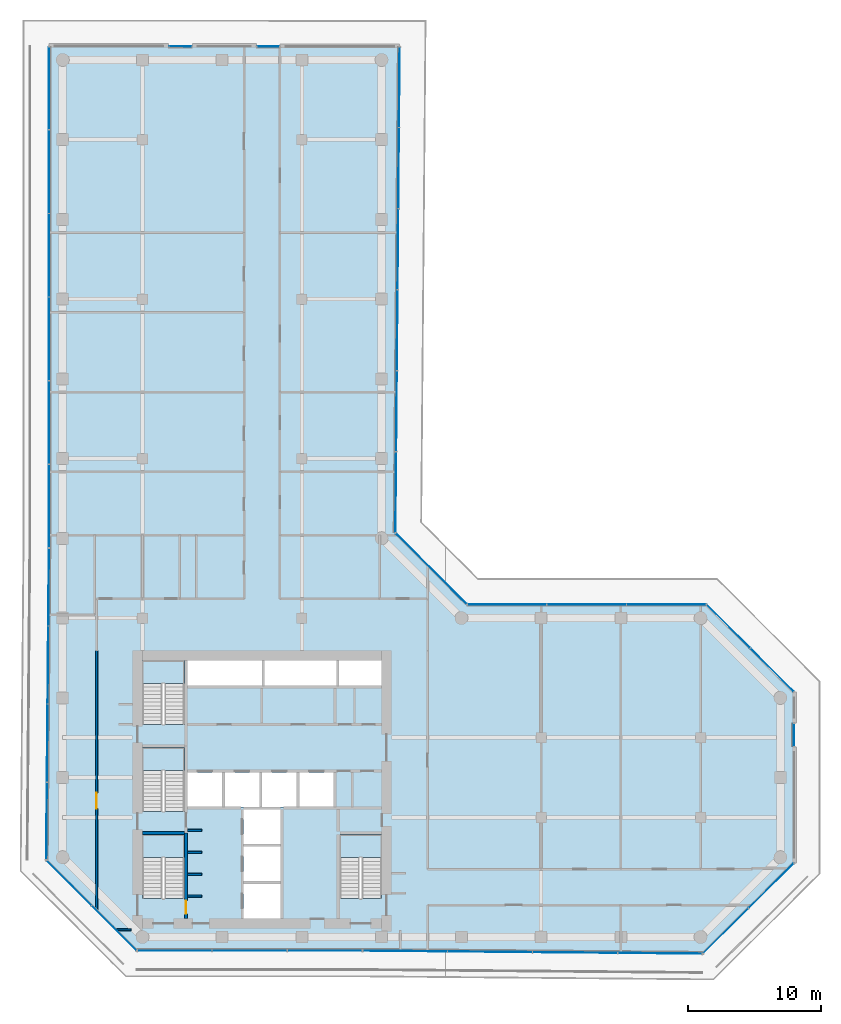
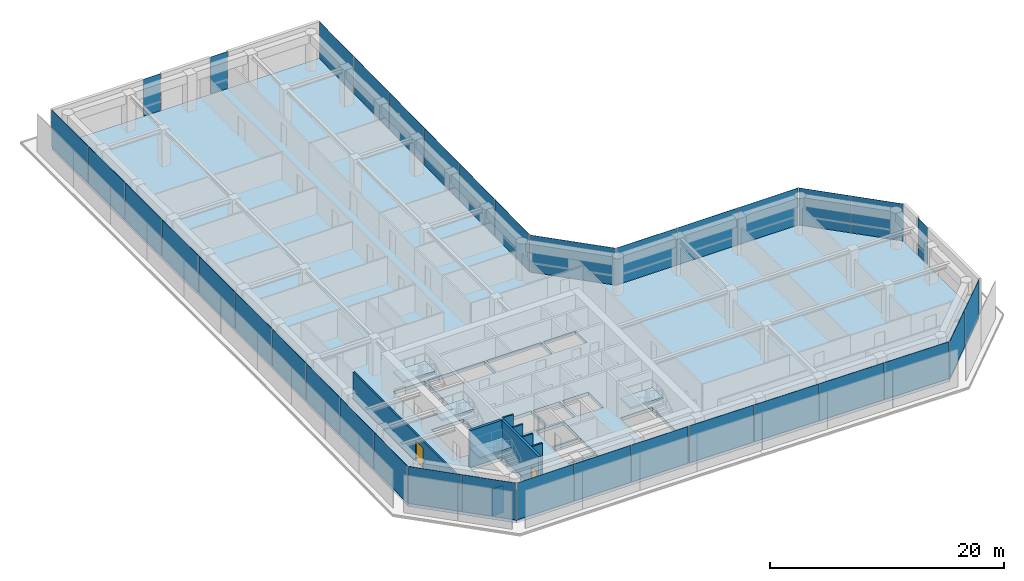
# One storey, part 17 of 23: 36 plates, 8 walls, 5 slabs, 2 doors, 2 openings, 17 elements without a shape of their own.
"""IFC4 building model written with IfcOpenShell, lengths in metres."""

from ifc_helpers import new_model, si_unit, direction, frame, frame_2d, origin, origin_2d, place, context, subcontext, project, spatial, polyline, rectangle, outline, extrude, material, layer, layer_set, type_object, element, fill, aggregate, save


model = new_model("IFC4")

# Units and contexts
model_context = context("Model", 3, precision=1e-05, world=origin(), true_north=direction((0.0, 1.0)))
body_context = subcontext(model_context, "Body", "Model", "MODEL_VIEW")
ifc_project = project(units=[si_unit("LENGTHUNIT", "METRE"), si_unit("AREAUNIT", "SQUARE_METRE"), si_unit("VOLUMEUNIT", "CUBIC_METRE"), si_unit("PLANEANGLEUNIT", "RADIAN"), si_unit("MASSUNIT", "GRAM", prefix="KILO")], contexts=[model_context])

# Site, building, storey
site_placement = place(None, origin())
site = spatial("IfcSite", under=ifc_project, at=site_placement, CompositionType="ELEMENT")
building_placement = place(site_placement, origin())
building = spatial("IfcBuilding", under=site, at=building_placement, Name="Welwitschia Terrace Campus", CompositionType="ELEMENT")
storey_placement = place(building_placement, frame((0.0, 0.0, 113.0)))
storey = spatial("IfcBuildingStorey", under=building, at=storey_placement, Name="L25", CompositionType="ELEMENT", Elevation=113.0)

# Curtain wall, plate
ifc_material_1 = material(Name="Bronze anodised aluminium", Category="aluminium")
ifc_layer_1 = layer(ifc_material_1, 0.1201171875)
ifc_layer_set_1 = layer_set([ifc_layer_1], Name="Bronze anodised aluminium")
curtain_wall_type = type_object("IfcCurtainWallType", Name="Curtain wall CW2 tower 6000", PredefinedType="NOTDEFINED", material=ifc_layer_set_1)
curtain_wall_1_placement = place(storey_placement, origin())
curtain_wall_1 = element("IfcCurtainWall", 1, at=curtain_wall_1_placement, inside=storey, type_object=curtain_wall_type, Name="CW L25.0.S0", PredefinedType="NOTDEFINED")
ifc_material_2 = material(Name="Tinted bronze-grey glass", Category="glass")
ifc_layer_2 = layer(ifc_material_2, 0.028076171875)
ifc_layer_set_2 = layer_set([ifc_layer_2], Name="Tinted bronze-grey glass")
plate_type = type_object("IfcPlateType", Name="Glass panel 28 tinted", PredefinedType="CURTAIN_PANEL", material=ifc_layer_set_2)
plate_1_placement = place(storey_placement, frame((15.4638671875, 71.016357421875, 0.0), z_axis=(0.0, 0.0, 1.0), x_axis=(-0.999999660533, 0.000823974926, 0.0)))
plate_1 = element("IfcPlate", 2, at=plate_1_placement, type_object=plate_type, Name="Panel L25.0.S0.0", PredefinedType="CURTAIN_PANEL", context=body_context, shape_type="SweptSolid", body=[
    extrude(rectangle(XDim=1.679931640625, YDim=0.028076171875, at=origin_2d()), origin(), (0.0, 0.0, 1.0), 3.85009765625),
])
aggregate(curtain_wall_1, [plate_1])

curtain_wall_2_placement = place(storey_placement, origin())
curtain_wall_2 = element("IfcCurtainWall", 3, at=curtain_wall_2_placement, inside=storey, type_object=curtain_wall_type, Name="CW L25.0.S1", PredefinedType="NOTDEFINED")
plate_2_placement = place(storey_placement, frame((8.8662109375, 71.02197265625, 0.0), z_axis=(0.0, 0.0, 1.0), x_axis=(-0.999999660533, 0.000823974926, 0.0)))
plate_2 = element("IfcPlate", 4, at=plate_2_placement, type_object=plate_type, Name="Panel L25.0.S1.0", PredefinedType="CURTAIN_PANEL", context=body_context, shape_type="SweptSolid", body=[
    extrude(rectangle(XDim=1.679931640625, YDim=0.028076171875, at=origin_2d()), origin(), (0.0, 0.0, 1.0), 3.85009765625),
])
aggregate(curtain_wall_2, [plate_2])

# Curtain wall, plates
curtain_wall_3_placement = place(storey_placement, origin())
curtain_wall_3 = element("IfcCurtainWall", 5, at=curtain_wall_3_placement, inside=storey, type_object=curtain_wall_type, Name="CW L25.1.0", PredefinedType="NOTDEFINED")
plate_3_placement = place(storey_placement, frame((-1.030029296875, 67.869384765625, 0.0), z_axis=(0.0, 0.0, 1.0), x_axis=(0.0, -1.0, 0.0)))
plate_3 = element("IfcPlate", 6, at=plate_3_placement, type_object=plate_type, Name="Panel L25.1.0.0", PredefinedType="CURTAIN_PANEL", context=body_context, shape_type="SweptSolid", body=[
    extrude(rectangle(XDim=6.201171875, YDim=0.028076171875, at=origin_2d()), origin(), (0.0, 0.0, 1.0), 3.85009765625),
])
plate_4_placement = place(storey_placement, frame((-1.030029296875, 61.593505859375, 0.0), z_axis=(0.0, 0.0, 1.0), x_axis=(0.0, -1.0, 0.0)))
plate_4 = element("IfcPlate", 7, at=plate_4_placement, type_object=plate_type, Name="Panel L25.1.0.1", PredefinedType="CURTAIN_PANEL", context=body_context, shape_type="SweptSolid", body=[
    extrude(rectangle(XDim=6.23095703125, YDim=0.028076171875, at=origin_2d()), origin(), (0.0, 0.0, 1.0), 3.85009765625),
])
plate_5_placement = place(storey_placement, frame((-1.030029296875, 55.302490234375, 0.0), z_axis=(0.0, 0.0, 1.0), x_axis=(0.0, -1.0, 0.0)))
plate_5 = element("IfcPlate", 8, at=plate_5_placement, type_object=plate_type, Name="Panel L25.1.0.2", PredefinedType="CURTAIN_PANEL", context=body_context, shape_type="SweptSolid", body=[
    extrude(rectangle(XDim=6.23095703125, YDim=0.028076171875, at=origin_2d()), origin(), (0.0, 0.0, 1.0), 3.85009765625),
])
plate_6_placement = place(storey_placement, frame((-1.030029296875, 49.01123046875, 0.0), z_axis=(0.0, 0.0, 1.0), x_axis=(0.0, -1.0, 0.0)))
plate_6 = element("IfcPlate", 9, at=plate_6_placement, type_object=plate_type, Name="Panel L25.1.0.3", PredefinedType="CURTAIN_PANEL", context=body_context, shape_type="SweptSolid", body=[
    extrude(rectangle(XDim=6.23095703125, YDim=0.028076171875, at=origin_2d()), origin(), (0.0, 0.0, 1.0), 3.85009765625),
])
plate_7_placement = place(storey_placement, frame((-1.030029296875, 42.72021484375, 0.0), z_axis=(0.0, 0.0, 1.0), x_axis=(0.0, -1.0, 0.0)))
plate_7 = element("IfcPlate", 10, at=plate_7_placement, type_object=plate_type, Name="Panel L25.1.0.4", PredefinedType="CURTAIN_PANEL", context=body_context, shape_type="SweptSolid", body=[
    extrude(rectangle(XDim=6.23095703125, YDim=0.028076171875, at=origin_2d()), origin(), (0.0, 0.0, 1.0), 3.85009765625),
])
plate_8_placement = place(storey_placement, frame((-1.030029296875, 36.444091796875, 0.0), z_axis=(0.0, 0.0, 1.0), x_axis=(0.0, -1.0, 0.0)))
plate_8 = element("IfcPlate", 11, at=plate_8_placement, type_object=plate_type, Name="Panel L25.1.0.5", PredefinedType="CURTAIN_PANEL", context=body_context, shape_type="SweptSolid", body=[
    extrude(rectangle(XDim=6.201171875, YDim=0.028076171875, at=origin_2d()), origin(), (0.0, 0.0, 1.0), 3.85009765625),
])
aggregate(curtain_wall_3, [plate_3, plate_4, plate_5, plate_6, plate_7, plate_8])

curtain_wall_4_placement = place(storey_placement, origin())
curtain_wall_4 = element("IfcCurtainWall", 12, at=curtain_wall_4_placement, inside=storey, type_object=curtain_wall_type, Name="CW L25.2.0", PredefinedType="NOTDEFINED")
plate_9_placement = place(storey_placement, frame((-1.0556640625, 30.330810546875, 0.0), z_axis=(0.0, 0.0, 1.0), x_axis=(-0.008726535498, -0.999961923064, 0.0)))
plate_9 = element("IfcPlate", 13, at=plate_9_placement, type_object=plate_type, Name="Panel L25.2.0.0", PredefinedType="CURTAIN_PANEL", context=body_context, shape_type="SweptSolid", body=[
    extrude(rectangle(XDim=5.785888671875, YDim=0.028076171875, at=origin_2d()), origin(), (0.0, 0.0, 1.0), 3.85009765625),
])
plate_10_placement = place(storey_placement, frame((-1.10693359375, 24.47021484375, 0.0), z_axis=(0.0, 0.0, 1.0), x_axis=(-0.008726535498, -0.999961923064, 0.0)))
plate_10 = element("IfcPlate", 14, at=plate_10_placement, type_object=plate_type, Name="Panel L25.2.0.1", PredefinedType="CURTAIN_PANEL", context=body_context, shape_type="SweptSolid", body=[
    extrude(rectangle(XDim=5.81591796875, YDim=0.028076171875, at=origin_2d()), origin(), (0.0, 0.0, 1.0), 3.85009765625),
])
plate_11_placement = place(storey_placement, frame((-1.158203125, 18.594482421875, 0.0), z_axis=(0.0, 0.0, 1.0), x_axis=(-0.008726535498, -0.999961923064, 0.0)))
plate_11 = element("IfcPlate", 15, at=plate_11_placement, type_object=plate_type, Name="Panel L25.2.0.2", PredefinedType="CURTAIN_PANEL", context=body_context, shape_type="SweptSolid", body=[
    extrude(rectangle(XDim=5.81591796875, YDim=0.028076171875, at=origin_2d()), origin(), (0.0, 0.0, 1.0), 3.85009765625),
])
plate_12_placement = place(storey_placement, frame((-1.209228515625, 12.73388671875, 0.0), z_axis=(0.0, 0.0, 1.0), x_axis=(-0.008726535498, -0.999961923064, 0.0)))
plate_12 = element("IfcPlate", 16, at=plate_12_placement, type_object=plate_type, Name="Panel L25.2.0.3", PredefinedType="CURTAIN_PANEL", context=body_context, shape_type="SweptSolid", body=[
    extrude(rectangle(XDim=5.785888671875, YDim=0.028076171875, at=origin_2d()), origin(), (0.0, 0.0, 1.0), 3.85009765625),
])
aggregate(curtain_wall_4, [plate_9, plate_10, plate_11, plate_12])

curtain_wall_5_placement = place(storey_placement, origin())
curtain_wall_5 = element("IfcCurtainWall", 17, at=curtain_wall_5_placement, inside=storey, type_object=curtain_wall_type, Name="CW L25.3.0", PredefinedType="NOTDEFINED")
plate_13_placement = place(storey_placement, frame((0.4775390625, 8.067626953125, 0.0), z_axis=(0.0, 0.0, 1.0), x_axis=(0.70697469242, -0.707238845283, 0.0)))
plate_13 = element("IfcPlate", 18, at=plate_13_placement, type_object=plate_type, Name="Panel L25.3.0.0", PredefinedType="CURTAIN_PANEL", context=body_context, shape_type="SweptSolid", body=[
    extrude(rectangle(XDim=4.72509765625, YDim=0.028076171875, at=origin_2d()), origin(), (0.0, 0.0, 1.0), 3.85009765625),
])
plate_14_placement = place(storey_placement, frame((3.860595703125, 4.683349609375, 0.0), z_axis=(0.0, 0.0, 1.0), x_axis=(0.70697469242, -0.707238845283, 0.0)))
plate_14 = element("IfcPlate", 19, at=plate_14_placement, type_object=plate_type, Name="Panel L25.3.0.1", PredefinedType="CURTAIN_PANEL", context=body_context, shape_type="SweptSolid", body=[
    extrude(rectangle(XDim=4.72509765625, YDim=0.028076171875, at=origin_2d()), origin(), (0.0, 0.0, 1.0), 3.85009765625),
])
aggregate(curtain_wall_5, [plate_13, plate_14])

curtain_wall_6_placement = place(storey_placement, origin())
curtain_wall_6 = element("IfcCurtainWall", 20, at=curtain_wall_6_placement, inside=storey, type_object=curtain_wall_type, Name="CW L25.4.0", PredefinedType="NOTDEFINED")
plate_15_placement = place(storey_placement, frame((8.417236328125, 2.969970703125, 0.0), z_axis=(0.0, 0.0, 1.0), x_axis=(1.0, 0.0, 0.0)))
plate_15 = element("IfcPlate", 21, at=plate_15_placement, type_object=plate_type, Name="Panel L25.4.0.0", PredefinedType="CURTAIN_PANEL", context=body_context, shape_type="SweptSolid", body=[
    extrude(rectangle(XDim=5.56787109375, YDim=0.028076171875, at=origin_2d()), origin(), (0.0, 0.0, 1.0), 3.85009765625),
])
plate_16_placement = place(storey_placement, frame((14.060302734375, 2.969970703125, 0.0), z_axis=(0.0, 0.0, 1.0), x_axis=(1.0, 0.0, 0.0)))
plate_16 = element("IfcPlate", 22, at=plate_16_placement, type_object=plate_type, Name="Panel L25.4.0.1", PredefinedType="CURTAIN_PANEL", context=body_context, shape_type="SweptSolid", body=[
    extrude(rectangle(XDim=5.597900390625, YDim=0.028076171875, at=origin_2d()), origin(), (0.0, 0.0, 1.0), 3.85009765625),
])
plate_17_placement = place(storey_placement, frame((19.703125, 2.969970703125, 0.0), z_axis=(0.0, 0.0, 1.0), x_axis=(1.0, 0.0, 0.0)))
plate_17 = element("IfcPlate", 23, at=plate_17_placement, type_object=plate_type, Name="Panel L25.4.0.2", PredefinedType="CURTAIN_PANEL", context=body_context, shape_type="SweptSolid", body=[
    extrude(rectangle(XDim=5.56787109375, YDim=0.028076171875, at=origin_2d()), origin(), (0.0, 0.0, 1.0), 3.85009765625),
])
aggregate(curtain_wall_6, [plate_15, plate_16, plate_17])

curtain_wall_7_placement = place(storey_placement, origin())
curtain_wall_7 = element("IfcCurtainWall", 24, at=curtain_wall_7_placement, inside=storey, type_object=curtain_wall_type, Name="CW L25.5.0", PredefinedType="NOTDEFINED")
plate_18_placement = place(storey_placement, frame((25.763916015625, 2.94189453125, 0.0), z_axis=(0.0, 0.0, 1.0), x_axis=(0.999961923064, -0.008726535498, 0.0)))
plate_18 = element("IfcPlate", 25, at=plate_18_placement, type_object=plate_type, Name="Panel L25.5.0.0", PredefinedType="CURTAIN_PANEL", context=body_context, shape_type="SweptSolid", body=[
    extrude(rectangle(XDim=6.31396484375, YDim=0.028076171875, at=origin_2d()), origin(), (0.0, 0.0, 1.0), 3.85009765625),
])
plate_19_placement = place(storey_placement, frame((32.15283203125, 2.88623046875, 0.0), z_axis=(0.0, 0.0, 1.0), x_axis=(0.999961923064, -0.008726535498, 0.0)))
plate_19 = element("IfcPlate", 26, at=plate_19_placement, type_object=plate_type, Name="Panel L25.5.0.1", PredefinedType="CURTAIN_PANEL", context=body_context, shape_type="SweptSolid", body=[
    extrude(rectangle(XDim=6.343994140625, YDim=0.028076171875, at=origin_2d()), origin(), (0.0, 0.0, 1.0), 3.85009765625),
])
plate_20_placement = place(storey_placement, frame((38.556396484375, 2.830322265625, 0.0), z_axis=(0.0, 0.0, 1.0), x_axis=(0.999961923064, -0.008726535498, 0.0)))
plate_20 = element("IfcPlate", 27, at=plate_20_placement, type_object=plate_type, Name="Panel L25.5.0.2", PredefinedType="CURTAIN_PANEL", context=body_context, shape_type="SweptSolid", body=[
    extrude(rectangle(XDim=6.343994140625, YDim=0.028076171875, at=origin_2d()), origin(), (0.0, 0.0, 1.0), 3.85009765625),
])
plate_21_placement = place(storey_placement, frame((44.9453125, 2.7744140625, 0.0), z_axis=(0.0, 0.0, 1.0), x_axis=(0.999961923064, -0.008726535498, 0.0)))
plate_21 = element("IfcPlate", 28, at=plate_21_placement, type_object=plate_type, Name="Panel L25.5.0.3", PredefinedType="CURTAIN_PANEL", context=body_context, shape_type="SweptSolid", body=[
    extrude(rectangle(XDim=6.31396484375, YDim=0.028076171875, at=origin_2d()), origin(), (0.0, 0.0, 1.0), 3.85009765625),
])
aggregate(curtain_wall_7, [plate_18, plate_19, plate_20, plate_21])

curtain_wall_8_placement = place(storey_placement, origin())
curtain_wall_8 = element("IfcCurtainWall", 29, at=curtain_wall_8_placement, inside=storey, type_object=curtain_wall_type, Name="CW L25.6.0", PredefinedType="NOTDEFINED")
plate_22_placement = place(storey_placement, frame((49.8896484375, 4.4638671875, 0.0), z_axis=(0.0, 0.0, 1.0), x_axis=(0.70922178721, 0.704985430024, 0.0)))
plate_22 = element("IfcPlate", 30, at=plate_22_placement, type_object=plate_type, Name="Panel L25.6.0.0", PredefinedType="CURTAIN_PANEL", context=body_context, shape_type="SweptSolid", body=[
    extrude(rectangle(XDim=4.751953125, YDim=0.028076171875, at=origin_2d()), origin(), (0.0, 0.0, 1.0), 3.85009765625),
])
plate_23_placement = place(storey_placement, frame((53.302490234375, 7.85595703125, 0.0), z_axis=(0.0, 0.0, 1.0), x_axis=(0.70922178721, 0.704985430024, 0.0)))
plate_23 = element("IfcPlate", 31, at=plate_23_placement, type_object=plate_type, Name="Panel L25.6.0.1", PredefinedType="CURTAIN_PANEL", context=body_context, shape_type="SweptSolid", body=[
    extrude(rectangle(XDim=4.751953125, YDim=0.028076171875, at=origin_2d()), origin(), (0.0, 0.0, 1.0), 3.85009765625),
])
aggregate(curtain_wall_8, [plate_22, plate_23])

# Curtain wall, plate
curtain_wall_9_placement = place(storey_placement, origin())
curtain_wall_9 = element("IfcCurtainWall", 32, at=curtain_wall_9_placement, inside=storey, type_object=curtain_wall_type, Name="CW L25.7.S0", PredefinedType="NOTDEFINED")
plate_24_placement = place(storey_placement, frame((55.030029296875, 19.21337890625, 0.0), z_axis=(0.0, 0.0, 1.0), x_axis=(0.0, 1.0, 0.0)))
plate_24 = element("IfcPlate", 33, at=plate_24_placement, type_object=plate_type, Name="Panel L25.7.S0.0", PredefinedType="CURTAIN_PANEL", context=body_context, shape_type="SweptSolid", body=[
    extrude(rectangle(XDim=1.679931640625, YDim=0.028076171875, at=origin_2d()), origin(), (0.0, 0.0, 1.0), 3.85009765625),
])
aggregate(curtain_wall_9, [plate_24])

# Curtain wall, plates
curtain_wall_10_placement = place(storey_placement, origin())
curtain_wall_10 = element("IfcCurtainWall", 34, at=curtain_wall_10_placement, inside=storey, type_object=curtain_wall_type, Name="CW L25.8.0", PredefinedType="NOTDEFINED")
plate_25_placement = place(storey_placement, frame((53.36865234375, 24.088134765625, 0.0), z_axis=(0.0, 0.0, 1.0), x_axis=(-0.707106781187, 0.707106781187, 0.0)))
plate_25 = element("IfcPlate", 35, at=plate_25_placement, type_object=plate_type, Name="Panel L25.8.0.0", PredefinedType="CURTAIN_PANEL", context=body_context, shape_type="SweptSolid", body=[
    extrude(rectangle(XDim=4.579345703125, YDim=0.028076171875, at=origin_2d()), origin(), (0.0, 0.0, 1.0), 3.85009765625),
])
plate_26_placement = place(storey_placement, frame((50.088134765625, 27.36865234375, 0.0), z_axis=(0.0, 0.0, 1.0), x_axis=(-0.707106781187, 0.707106781187, 0.0)))
plate_26 = element("IfcPlate", 36, at=plate_26_placement, type_object=plate_type, Name="Panel L25.8.0.1", PredefinedType="CURTAIN_PANEL", context=body_context, shape_type="SweptSolid", body=[
    extrude(rectangle(XDim=4.579345703125, YDim=0.028076171875, at=origin_2d()), origin(), (0.0, 0.0, 1.0), 3.85009765625),
])
aggregate(curtain_wall_10, [plate_25, plate_26])

curtain_wall_11_placement = place(storey_placement, origin())
curtain_wall_11 = element("IfcCurtainWall", 37, at=curtain_wall_11_placement, inside=storey, type_object=curtain_wall_type, Name="CW L25.9.0", PredefinedType="NOTDEFINED")
plate_27_placement = place(storey_placement, frame((45.41162109375, 29.030029296875, 0.0), z_axis=(0.0, 0.0, 1.0), x_axis=(-1.0, 0.0, 0.0)))
plate_27 = element("IfcPlate", 38, at=plate_27_placement, type_object=plate_type, Name="Panel L25.9.0.0", PredefinedType="CURTAIN_PANEL", context=body_context, shape_type="SweptSolid", body=[
    extrude(rectangle(XDim=5.909912109375, YDim=0.028076171875, at=origin_2d()), origin(), (0.0, 0.0, 1.0), 3.85009765625),
])
plate_28_placement = place(storey_placement, frame((39.4267578125, 29.030029296875, 0.0), z_axis=(0.0, 0.0, 1.0), x_axis=(-1.0, 0.0, 0.0)))
plate_28 = element("IfcPlate", 39, at=plate_28_placement, type_object=plate_type, Name="Panel L25.9.0.1", PredefinedType="CURTAIN_PANEL", context=body_context, shape_type="SweptSolid", body=[
    extrude(rectangle(XDim=5.93994140625, YDim=0.028076171875, at=origin_2d()), origin(), (0.0, 0.0, 1.0), 3.85009765625),
])
plate_29_placement = place(storey_placement, frame((33.441650390625, 29.030029296875, 0.0), z_axis=(0.0, 0.0, 1.0), x_axis=(-1.0, 0.0, 0.0)))
plate_29 = element("IfcPlate", 40, at=plate_29_placement, type_object=plate_type, Name="Panel L25.9.0.2", PredefinedType="CURTAIN_PANEL", context=body_context, shape_type="SweptSolid", body=[
    extrude(rectangle(XDim=5.909912109375, YDim=0.028076171875, at=origin_2d()), origin(), (0.0, 0.0, 1.0), 3.85009765625),
])
aggregate(curtain_wall_11, [plate_27, plate_28, plate_29])

# Curtain wall, plate
curtain_wall_12_placement = place(storey_placement, origin())
curtain_wall_12 = element("IfcCurtainWall", 41, at=curtain_wall_12_placement, inside=storey, type_object=curtain_wall_type, Name="CW L25.10.0", PredefinedType="NOTDEFINED")
plate_30_placement = place(storey_placement, frame((27.733642578125, 31.722900390625, 0.0), z_axis=(0.0, 0.0, 1.0), x_axis=(-0.707106781187, 0.707106781187, 0.0)))
plate_30 = element("IfcPlate", 42, at=plate_30_placement, type_object=plate_type, Name="Panel L25.10.0.0", PredefinedType="CURTAIN_PANEL", context=body_context, shape_type="SweptSolid", body=[
    extrude(rectangle(XDim=7.49658203125, YDim=0.028076171875, at=origin_2d()), origin(), (0.0, 0.0, 1.0), 3.85009765625),
])
aggregate(curtain_wall_12, [plate_30])

# Curtain wall, plates
curtain_wall_13_placement = place(storey_placement, origin())
curtain_wall_13 = element("IfcCurtainWall", 43, at=curtain_wall_13_placement, inside=storey, type_object=curtain_wall_type, Name="CW L25.11.0", PredefinedType="NOTDEFINED")
plate_31_placement = place(storey_placement, frame((25.067626953125, 37.480224609375, 0.0), z_axis=(0.0, 0.0, 1.0), x_axis=(0.008726535498, 0.999961923064, 0.0)))
plate_31 = element("IfcPlate", 44, at=plate_31_placement, type_object=plate_type, Name="Panel L25.11.0.0", PredefinedType="CURTAIN_PANEL", context=body_context, shape_type="SweptSolid", body=[
    extrude(rectangle(XDim=6.009033203125, YDim=0.028076171875, at=origin_2d()), origin(), (0.0, 0.0, 1.0), 3.85009765625),
])
plate_32_placement = place(storey_placement, frame((25.12060546875, 43.56396484375, 0.0), z_axis=(0.0, 0.0, 1.0), x_axis=(0.008726535498, 0.999961923064, 0.0)))
plate_32 = element("IfcPlate", 45, at=plate_32_placement, type_object=plate_type, Name="Panel L25.11.0.1", PredefinedType="CURTAIN_PANEL", context=body_context, shape_type="SweptSolid", body=[
    extrude(rectangle(XDim=6.0390625, YDim=0.028076171875, at=origin_2d()), origin(), (0.0, 0.0, 1.0), 3.85009765625),
])
plate_33_placement = place(storey_placement, frame((25.173828125, 49.66259765625, 0.0), z_axis=(0.0, 0.0, 1.0), x_axis=(0.008726535498, 0.999961923064, 0.0)))
plate_33 = element("IfcPlate", 46, at=plate_33_placement, type_object=plate_type, Name="Panel L25.11.0.2", PredefinedType="CURTAIN_PANEL", context=body_context, shape_type="SweptSolid", body=[
    extrude(rectangle(XDim=6.0390625, YDim=0.028076171875, at=origin_2d()), origin(), (0.0, 0.0, 1.0), 3.85009765625),
])
plate_34_placement = place(storey_placement, frame((25.22705078125, 55.761474609375, 0.0), z_axis=(0.0, 0.0, 1.0), x_axis=(0.008726535498, 0.999961923064, 0.0)))
plate_34 = element("IfcPlate", 47, at=plate_34_placement, type_object=plate_type, Name="Panel L25.11.0.3", PredefinedType="CURTAIN_PANEL", context=body_context, shape_type="SweptSolid", body=[
    extrude(rectangle(XDim=6.0390625, YDim=0.028076171875, at=origin_2d()), origin(), (0.0, 0.0, 1.0), 3.85009765625),
])
plate_35_placement = place(storey_placement, frame((25.2802734375, 61.860107421875, 0.0), z_axis=(0.0, 0.0, 1.0), x_axis=(0.008726535498, 0.999961923064, 0.0)))
plate_35 = element("IfcPlate", 48, at=plate_35_placement, type_object=plate_type, Name="Panel L25.11.0.4", PredefinedType="CURTAIN_PANEL", context=body_context, shape_type="SweptSolid", body=[
    extrude(rectangle(XDim=6.0390625, YDim=0.028076171875, at=origin_2d()), origin(), (0.0, 0.0, 1.0), 3.85009765625),
])
plate_36_placement = place(storey_placement, frame((25.33349609375, 67.94384765625, 0.0), z_axis=(0.0, 0.0, 1.0), x_axis=(0.008726535498, 0.999961923064, 0.0)))
plate_36 = element("IfcPlate", 49, at=plate_36_placement, type_object=plate_type, Name="Panel L25.11.0.5", PredefinedType="CURTAIN_PANEL", context=body_context, shape_type="SweptSolid", body=[
    extrude(rectangle(XDim=6.009033203125, YDim=0.028076171875, at=origin_2d()), origin(), (0.0, 0.0, 1.0), 3.85009765625),
])
aggregate(curtain_wall_13, [plate_31, plate_32, plate_33, plate_34, plate_35, plate_36])

# Stair, slab
ifc_material_3 = material(Name="Concrete C40/50", Category="concrete")
stair_type = type_object("IfcStairType", Name="Stair 24R 175 W1500", PredefinedType="HALF_TURN_STAIR", material=ifc_material_3)
stair_1_placement = place(storey_placement, origin())
stair_1 = element("IfcStair", 50, at=stair_1_placement, inside=storey, type_object=stair_type, Name="L25 Exit stair S1", PredefinedType="HALF_TURN_STAIR")
ifc_material_4 = material(Name="Concrete C40/50", Category="concrete")
ifc_layer_3 = layer(ifc_material_4, 0.199951171875)
ifc_layer_set_3 = layer_set([ifc_layer_3], Name="Concrete C40/50")
slab_type_1 = type_object("IfcSlabType", Name="Stair landing RC", PredefinedType="LANDING", material=ifc_layer_set_3)
slab_1_placement = place(storey_placement, frame((0.0, 0.0, 1.89990234375)))
slab_1 = element("IfcSlab", 51, at=slab_1_placement, type_object=slab_type_1, Name="S1 landing 1", PredefinedType="LANDING", context=body_context, shape_type="SweptSolid", body=[
    extrude(outline(polyline([(9.14990234375, 9.97998046875), (9.14990234375, 11.699951171875), (6.0, 11.699951171875), (6.0, 9.97998046875), (9.14990234375, 9.97998046875)])), origin(), (0.0, 0.0, 1.0), 0.2001953125),
])
aggregate(stair_1, [slab_1])

stair_2_placement = place(storey_placement, origin())
stair_2 = element("IfcStair", 52, at=stair_2_placement, inside=storey, type_object=stair_type, Name="L25 Exit stair S3", PredefinedType="HALF_TURN_STAIR")
slab_2_placement = place(storey_placement, frame((0.0, 0.0, 1.89990234375)))
slab_2 = element("IfcSlab", 53, at=slab_2_placement, type_object=slab_type_1, Name="S3 landing 1", PredefinedType="LANDING", context=body_context, shape_type="SweptSolid", body=[
    extrude(outline(polyline([(9.14990234375, 16.530029296875), (9.14990234375, 18.25), (6.0, 18.25), (6.0, 16.530029296875), (9.14990234375, 16.530029296875)])), origin(), (0.0, 0.0, 1.0), 0.2001953125),
])
aggregate(stair_2, [slab_2])

stair_3_placement = place(storey_placement, origin())
stair_3 = element("IfcStair", 54, at=stair_3_placement, inside=storey, type_object=stair_type, Name="L25 Exit stair S4", PredefinedType="HALF_TURN_STAIR")
slab_3_placement = place(storey_placement, frame((0.0, 0.0, 1.89990234375)))
slab_3 = element("IfcSlab", 55, at=slab_3_placement, type_object=slab_type_1, Name="S4 landing 1", PredefinedType="LANDING", context=body_context, shape_type="SweptSolid", body=[
    extrude(outline(polyline([(9.14990234375, 23.080078125), (9.14990234375, 24.800048828125), (6.0, 24.800048828125), (6.0, 23.080078125), (9.14990234375, 23.080078125)])), origin(), (0.0, 0.0, 1.0), 0.2001953125),
])
aggregate(stair_3, [slab_3])

stair_4_placement = place(storey_placement, origin())
stair_4 = element("IfcStair", 56, at=stair_4_placement, inside=storey, type_object=stair_type, Name="L25 Exit stair S2", PredefinedType="HALF_TURN_STAIR")
slab_4_placement = place(storey_placement, frame((0.0, 0.0, 1.89990234375)))
slab_4 = element("IfcSlab", 57, at=slab_4_placement, type_object=slab_type_1, Name="S2 landing 1", PredefinedType="LANDING", context=body_context, shape_type="SweptSolid", body=[
    extrude(outline(polyline([(24.0, 9.97998046875), (24.0, 11.699951171875), (20.85009765625, 11.699951171875), (20.85009765625, 9.97998046875), (24.0, 9.97998046875)])), origin(), (0.0, 0.0, 1.0), 0.2001953125),
])
aggregate(stair_4, [slab_4])

# Slab
ifc_material_5 = material(Name="Concrete C40/50", Category="concrete")
ifc_layer_4 = layer(ifc_material_5, 0.35009765625)
ifc_layer_set_4 = layer_set([ifc_layer_4], Name="Concrete C40/50")
slab_type_2 = type_object("IfcSlabType", Name="Suspended floor slab 350", PredefinedType="FLOOR", material=ifc_layer_set_4)
slab_5_placement = place(storey_placement, frame((0.0, 0.0, -0.35009765625)))
element("IfcSlab", 58, at=slab_5_placement, inside=storey, type_object=slab_type_2, Name="Floor slab L25", PredefinedType="FLOOR", context=body_context, shape_type="SweptSolid", body=[
    extrude(outline(polyline([(25.0107421875, 34.403564453125), (30.414306640625, 29.0), (48.414306640625, 29.0), (55.0, 22.414306640625), (55.0, 9.585693359375), (48.14990234375, 2.776611328125), (22.547119140625, 3.0), (5.585693359375, 3.0), (-1.205078125, 9.793212890625), (-1.0, 33.283447265625), (-1.0, 71.0), (25.329833984375, 70.978271484375), (25.0107421875, 34.403564453125)]), holes=[polyline([(13.60009765625, 8.0), (13.60009765625, 5.39990234375), (16.39990234375, 5.39990234375), (16.39990234375, 8.0), (13.60009765625, 8.0)]), polyline([(9.14990234375, 11.699951171875), (6.0, 11.699951171875), (6.0, 6.902099609375), (9.14990234375, 6.902099609375), (9.14990234375, 11.699951171875)]), polyline([(12.0, 16.39990234375), (9.39990234375, 16.39990234375), (9.39990234375, 13.800048828125), (12.0, 13.800048828125), (12.0, 16.39990234375)]), polyline([(14.800048828125, 16.39990234375), (12.199951171875, 16.39990234375), (12.199951171875, 13.800048828125), (14.800048828125, 13.800048828125), (14.800048828125, 16.39990234375)]), polyline([(9.14990234375, 18.25), (6.0, 18.25), (6.0, 13.451904296875), (9.14990234375, 13.451904296875), (9.14990234375, 18.25)]), polyline([(9.14990234375, 24.800048828125), (6.0, 24.800048828125), (6.0, 20.001953125), (9.14990234375, 20.001953125), (9.14990234375, 24.800048828125)]), polyline([(15.0, 24.800048828125), (9.39990234375, 24.800048828125), (9.39990234375, 22.89990234375), (15.0, 22.89990234375), (15.0, 24.800048828125)]), polyline([(20.85009765625, 11.699951171875), (20.85009765625, 6.902099609375), (24.0, 6.902099609375), (24.0, 11.699951171875), (20.85009765625, 11.699951171875)]), polyline([(16.39990234375, 10.800048828125), (13.60009765625, 10.800048828125), (13.60009765625, 8.199951171875), (16.39990234375, 8.199951171875), (16.39990234375, 10.800048828125)]), polyline([(16.39990234375, 13.60009765625), (13.60009765625, 13.60009765625), (13.60009765625, 11.0), (16.39990234375, 11.0), (16.39990234375, 13.60009765625)]), polyline([(17.60009765625, 16.39990234375), (15.0, 16.39990234375), (15.0, 13.800048828125), (17.60009765625, 13.800048828125), (17.60009765625, 16.39990234375)]), polyline([(20.39990234375, 16.39990234375), (17.800048828125, 16.39990234375), (17.800048828125, 13.800048828125), (20.39990234375, 13.800048828125), (20.39990234375, 16.39990234375)]), polyline([(20.60009765625, 24.800048828125), (15.199951171875, 24.800048828125), (15.199951171875, 22.89990234375), (20.60009765625, 22.89990234375), (20.60009765625, 24.800048828125)]), polyline([(24.0, 24.800048828125), (20.800048828125, 24.800048828125), (20.800048828125, 22.89990234375), (24.0, 22.89990234375), (24.0, 24.800048828125)])]), origin(), (0.0, 0.0, 1.0), 0.35009765625),
])

# Walls
ifc_material_6 = material(Name="Concrete C50/60", Category="concrete")
ifc_layer_5 = layer(ifc_material_6, 0.14990234375)
ifc_layer_set_5 = layer_set([ifc_layer_5], Name="Concrete C50/60")
wall_type_1 = type_object("IfcWallType", Name="Core wall 150 Concrete C50/60", PredefinedType="SHEAR", material=ifc_layer_set_5)
for number, where, z_axis, x_axis, name in (
    (59, (9.39990234375, 7.074951171875, 0.0), (0.0, 0.0, 1.0), (1.0, 0.0, 0.0), "Core wall"),
    (60, (9.39990234375, 8.72509765625, 0.0), (0.0, 0.0, 1.0), (1.0, 0.0, 0.0), "Core wall"),
    (61, (9.39990234375, 10.375, 0.0), (0.0, 0.0, 1.0), (1.0, 0.0, 0.0), "Core wall"),
    (62, (9.39990234375, 12.02490234375, 0.0), (0.0, 0.0, 1.0), (1.0, 0.0, 0.0), "Core wall"),
):
    element("IfcWall", number, at=place(storey_placement, frame(where, z_axis=z_axis, x_axis=x_axis)), inside=storey, type_object=wall_type_1, Name=name, PredefinedType="SHEAR", context=body_context, shape_type="SweptSolid", body=[
        extrude(rectangle(XDim=1.050048828125, YDim=0.14990234375, at=frame_2d((0.52490234375, 0.0))), origin(), (0.0, 0.0, 1.0), 3.85009765625),
    ])
ifc_material_7 = material(Name="Concrete C50/60", Category="concrete")
ifc_layer_6 = layer(ifc_material_7, 0.25)
ifc_layer_set_6 = layer_set([ifc_layer_6], Name="Concrete C50/60")
wall_type_2 = type_object("IfcWallType", Name="Core wall 250 Concrete C50/60", PredefinedType="SHEAR", material=ifc_layer_set_6)
wall_1_placement = place(storey_placement, frame((6.0, 11.824951171875, 0.0), z_axis=(0.0, 0.0, 1.0), x_axis=(1.0, 0.0, 0.0)))
element("IfcWall", 63, at=wall_1_placement, inside=storey, type_object=wall_type_2, Name="Core wall", PredefinedType="SHEAR", context=body_context, shape_type="SweptSolid", body=[
    extrude(rectangle(XDim=3.14990234375, YDim=0.25, at=frame_2d((1.574951171875, 0.0))), origin(), (0.0, 0.0, 1.0), 3.85009765625),
])

# Wall, opening, door
wall_2_placement = place(storey_placement, frame((9.27490234375, 11.824951171875, 0.0), z_axis=(0.0, 0.0, 1.0), x_axis=(0.0, -1.0, 0.0)))
wall_2 = element("IfcWall", 64, at=wall_2_placement, inside=storey, type_object=wall_type_2, Name="Core wall", PredefinedType="SHEAR", context=body_context, shape_type="SweptSolid", body=[
    extrude(rectangle(XDim=6.425048828125, YDim=0.25, at=frame_2d((3.21240234375, 0.0))), origin(), (0.0, 0.0, 1.0), 3.85009765625),
])
opening_1_placement = place(wall_2_placement, frame((5.074951171875, 0.0, 0.0)))
opening_1 = element("IfcOpeningElement", 65, at=opening_1_placement, cuts=wall_2, Name="Opening DS10", PredefinedType="OPENING", context=body_context, shape_type="SweptSolid", body=[
    extrude(rectangle(XDim=1.0, YDim=2.10009765625, at=frame_2d((0.5, 1.050048828125))), frame((0.0, 0.135009765625, 0.0), z_axis=(0.0, -1.0, 0.0), x_axis=(1.0, 0.0, 0.0)), (0.0, 0.0, 1.0), 0.27001953125),
])
ifc_material_8 = material(Name="Steel S275", Category="steel")
door_type_1 = type_object("IfcDoorType", Name="Core door DS10", OperationType="SINGLE_SWING_LEFT", PredefinedType="DOOR", material=ifc_material_8)
door_1_placement = place(opening_1_placement, origin())
door_1 = element("IfcDoor", 66, at=door_1_placement, inside=storey, type_object=door_type_1, Name="Door S1-FL", OperationType="SINGLE_SWING_RIGHT", OverallHeight=2.10009765625, OverallWidth=1.0, PredefinedType="DOOR", context=body_context, shape_type="SweptSolid", body=[
    extrude(rectangle(XDim=1.0, YDim=2.10009765625, at=frame_2d((0.5, 1.050048828125))), frame((0.0, 0.02490234375, 0.0), z_axis=(0.0, -1.0, 0.0), x_axis=(1.0, 0.0, 0.0)), (0.0, 0.0, 1.0), 0.050048828125),
])
fill(opening_1, door_1)

ifc_material_9 = material(Name="Gypsum board on steel studs", Category="steel")
ifc_layer_7 = layer(ifc_material_9, 0.14990234375)
ifc_layer_set_7 = layer_set([ifc_layer_7], Name="Gypsum board on steel studs")
wall_type_3 = type_object("IfcWallType", Name="Corridor partition 150 EI 30", PredefinedType="PARTITIONING", material=ifc_layer_set_7)
wall_3_placement = place(storey_placement, frame((2.550048828125, 6.070068359375, 0.0), z_axis=(0.0, 0.0, 1.0), x_axis=(0.0, 1.0, 0.0)))
wall_3 = element("IfcWall", 67, at=wall_3_placement, inside=storey, type_object=wall_type_3, Name="Partition", PredefinedType="PARTITIONING", context=body_context, shape_type="SweptSolid", body=[
    extrude(rectangle(XDim=19.47998046875, YDim=0.14990234375, at=frame_2d((9.739990234375, 0.0))), origin(), (0.0, 0.0, 1.0), 2.830078125),
])
opening_2_placement = place(wall_3_placement, frame((7.580078125, 0.0, 0.0)))
opening_2 = element("IfcOpeningElement", 68, at=opening_2_placement, cuts=wall_3, Name="Opening DI12", PredefinedType="OPENING", context=body_context, shape_type="SweptSolid", body=[
    extrude(rectangle(XDim=1.199951171875, YDim=2.10009765625, at=frame_2d((0.60009765625, 1.050048828125))), frame((0.0, 0.0849609375, 0.0), z_axis=(0.0, -1.0, 0.0), x_axis=(1.0, 0.0, 0.0)), (0.0, 0.0, 1.0), 0.169921875),
])
ifc_material_10 = material(Name="Timber veneered door", Category="wood")
door_type_2 = type_object("IfcDoorType", Name="Interior door DI12", OperationType="NOTDEFINED", PredefinedType="DOOR", material=ifc_material_10)
door_2_placement = place(opening_2_placement, origin())
door_2 = element("IfcDoor", 69, at=door_2_placement, inside=storey, type_object=door_type_2, Name="Door L25 542", OperationType="SINGLE_SWING_LEFT", OverallHeight=2.10009765625, OverallWidth=1.199951171875, PredefinedType="DOOR", context=body_context, shape_type="SweptSolid", body=[
    extrude(rectangle(XDim=1.199951171875, YDim=2.10009765625, at=frame_2d((0.60009765625, 1.050048828125))), frame((0.0, 0.02490234375, 0.0), z_axis=(0.0, -1.0, 0.0), x_axis=(1.0, 0.0, 0.0)), (0.0, 0.0, 1.0), 0.050048828125),
])
fill(opening_2, door_2)

# Wall
wall_4_placement = place(storey_placement, frame((4.06005859375, 4.550048828125, 0.0), z_axis=(0.0, 0.0, 1.0), x_axis=(1.0, 0.0, 0.0)))
element("IfcWall", 70, at=wall_4_placement, inside=storey, type_object=wall_type_3, Name="Partition", PredefinedType="PARTITIONING", context=body_context, shape_type="SweptSolid", body=[
    extrude(rectangle(XDim=1.08984375, YDim=0.14990234375, at=frame_2d((0.544921875, 0.0))), origin(), (0.0, 0.0, 1.0), 2.830078125),
])

save(model, "model.ifc")
